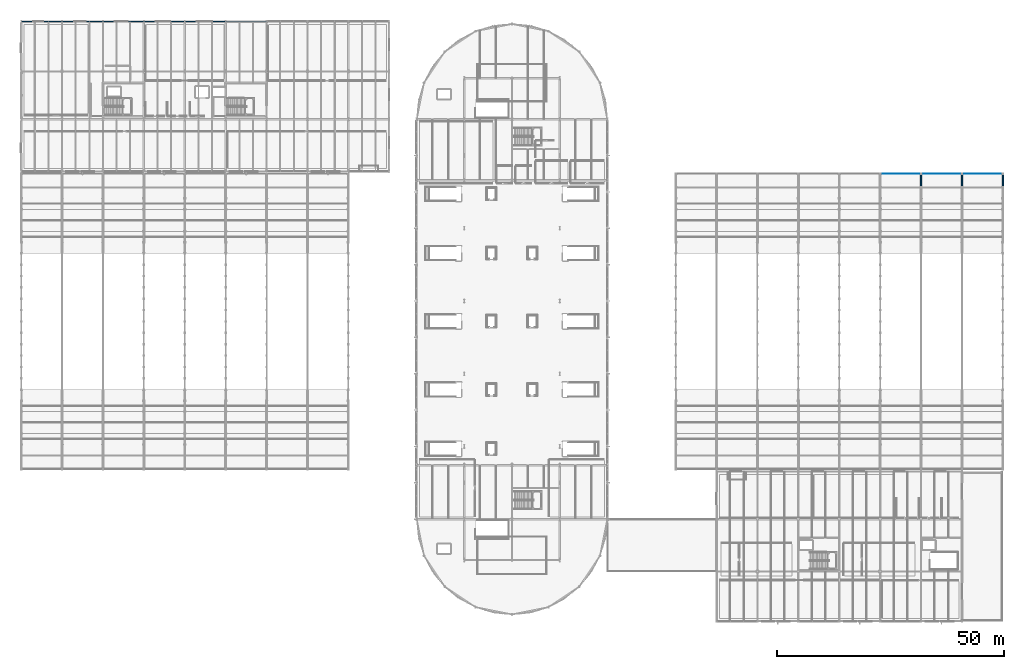
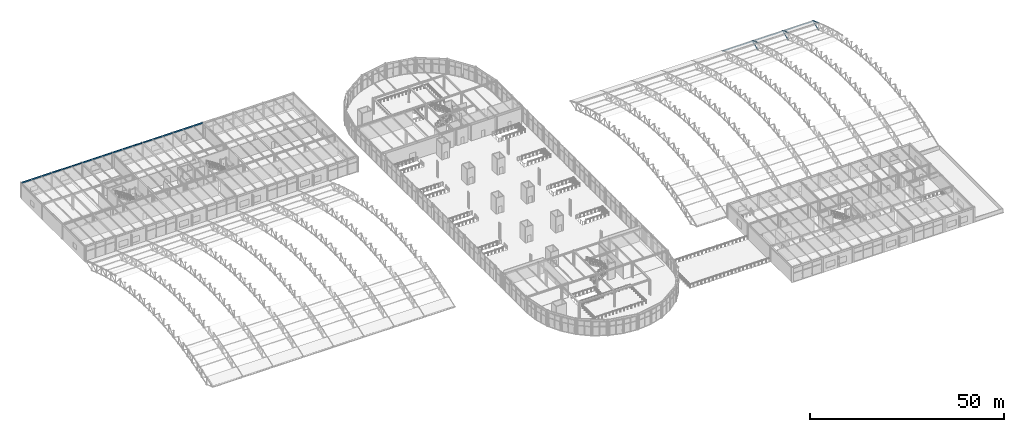
# One storey, part 91 of 195: 9 members, 6 beams.
"""IFC4 building model written with IfcOpenShell, lengths in metres."""

from ifc_helpers import new_model, si_unit, direction, frame, origin, origin_2d, place, context, subcontext, project, spatial, hollow_rectangle, hollow_circle, i_section, extrude, material, material_profile, profile_set, type_object, element, save


model = new_model("IFC4")

# Units and contexts
model_context = context("Model", 3, precision=1e-05, world=origin(), true_north=direction((0.0, 1.0)))
body_context = subcontext(model_context, "Body", "Model", "MODEL_VIEW")
ifc_project = project(units=[si_unit("LENGTHUNIT", "METRE"), si_unit("AREAUNIT", "SQUARE_METRE"), si_unit("VOLUMEUNIT", "CUBIC_METRE"), si_unit("PLANEANGLEUNIT", "RADIAN"), si_unit("MASSUNIT", "GRAM", prefix="KILO")], contexts=[model_context])

# Site, building, storey
site_placement = place(None, origin())
site = spatial("IfcSite", under=ifc_project, at=site_placement, CompositionType="ELEMENT")
building_placement = place(site_placement, origin())
building = spatial("IfcBuilding", under=site, at=building_placement, Name="Marlcrest Central Station", CompositionType="ELEMENT")
storey_placement = place(building_placement, frame((0.0, 0.0, 9.800048828125)))
storey = spatial("IfcBuildingStorey", under=building, at=storey_placement, Name="L02", CompositionType="ELEMENT", Elevation=9.800048828125)

# Members
ifc_material = material(Name="Steel S355", Category="steel")
ifc_material_profile_1 = material_profile(ifc_material, hollow_circle(Radius=0.203125, WallThickness=0.02001953125, at=origin_2d()), Name="CHS 406.4x20")
ifc_profile_set_1 = profile_set([ifc_material_profile_1], Name="Steel S355")
member_type_1 = type_object("IfcMemberType", Name="AC-01", PredefinedType="CHORD", material=ifc_profile_set_1)
for number, where, z_axis, x_axis, name in (
    (1, (198.0, 95.5, 1.599853515625), (0.0, 0.933324071143, -0.359035065453), (-1.0, 0.0, 0.0), "mem-AC-01-L02-01884"),
    (2, (207.0, 95.5, 1.599853515625), (0.0, 0.933324071143, -0.359035065453), (-1.0, 0.0, 0.0), "mem-AC-01-L02-02000"),
    (3, (216.0, 95.5, 1.599853515625), (0.0, 0.933324071143, -0.359035065453), (-1.0, 0.0, 0.0), "mem-AC-01-L02-02116"),
):
    element("IfcMember", number, at=place(storey_placement, frame(where, z_axis=z_axis, x_axis=x_axis)), inside=storey, type_object=member_type_1, Name=name, PredefinedType="CHORD", context=body_context, shape_type="SweptSolid", body=[
        extrude(hollow_circle(Radius=0.203125, WallThickness=0.02001953125, at=origin_2d()), origin(), (0.0, 0.0, 1.0), 3.21435546875),
    ])
ifc_material_profile_2 = material_profile(ifc_material, hollow_circle(Radius=0.084228515625, WallThickness=0.010009765625, at=origin_2d()), Name="CHS 168.3x10")
ifc_profile_set_2 = profile_set([ifc_material_profile_2], Name="Steel S355")
member_type_2 = type_object("IfcMemberType", Name="AD-01", PredefinedType="BRACE", material=ifc_profile_set_2)
for number, where, z_axis, x_axis, name in (
    (4, (198.0, 95.5, -0.60009765625), (0.0, 0.944260188635, 0.329200085296), (-1.0, 0.0, 0.0), "mem-AD-01-L02-01886"),
    (5, (207.0, 95.5, -0.60009765625), (0.0, 0.944260188635, 0.329200085296), (-1.0, 0.0, 0.0), "mem-AD-01-L02-02002"),
    (6, (216.0, 95.5, -0.60009765625), (0.0, 0.944260188635, 0.329200085296), (-1.0, 0.0, 0.0), "mem-AD-01-L02-02118"),
):
    element("IfcMember", number, at=place(storey_placement, frame(where, z_axis=z_axis, x_axis=x_axis)), inside=storey, type_object=member_type_2, Name=name, PredefinedType="BRACE", context=body_context, shape_type="SweptSolid", body=[
        extrude(hollow_circle(Radius=0.084228515625, WallThickness=0.010009765625, at=origin_2d()), origin(), (0.0, 0.0, 1.0), 3.177001953125),
    ])
ifc_material_profile_3 = material_profile(ifc_material, i_section(OverallWidth=0.10009765625, OverallDepth=0.199951171875, WebThickness=0.005615234375, FlangeThickness=0.008544921875, FilletRadius=0.011962890625, at=origin_2d()), Name="IPE 200")
ifc_profile_set_3 = profile_set([ifc_material_profile_3], Name="Steel S355")
member_type_3 = type_object("IfcMemberType", Name="PR-01", PredefinedType="PURLIN", material=ifc_profile_set_3)
for number, where, z_axis, x_axis, name in (
    (7, (189.179931640625, 98.5, 0.3056640625), (1.0, 0.0, 0.0), (0.0, 1.0, 0.0), "mem-PR-01-L02-01785"),
    (8, (198.179931640625, 98.5, 0.3056640625), (1.0, 0.0, 0.0), (0.0, 1.0, 0.0), "mem-PR-01-L02-01901"),
    (9, (207.179931640625, 98.5, 0.3056640625), (1.0, 0.0, 0.0), (0.0, 1.0, 0.0), "mem-PR-01-L02-02017"),
):
    element("IfcMember", number, at=place(storey_placement, frame(where, z_axis=z_axis, x_axis=x_axis)), inside=storey, type_object=member_type_3, Name=name, PredefinedType="PURLIN", context=body_context, shape_type="SweptSolid", body=[
        extrude(i_section(OverallWidth=0.10009765625, OverallDepth=0.199951171875, WebThickness=0.005615234375, FlangeThickness=0.008544921875, FilletRadius=0.011962890625, at=origin_2d()), origin(), (0.0, 0.0, 1.0), 8.64013671875),
    ])

# Beams
ifc_material_profile_4 = material_profile(ifc_material, hollow_rectangle(XDim=0.199951171875, YDim=0.39990234375, WallThickness=0.01611328125, at=origin_2d()), Name="RHS 400x200x16")
ifc_profile_set_4 = profile_set([ifc_material_profile_4], Name="Steel S355")
beam_type = type_object("IfcBeamType", Name="SP-01", PredefinedType="SPANDREL", material=ifc_profile_set_4)
for number, where, z_axis, x_axis, name in (
    (10, (0.050048828125, 132.0, 4.800048828125), (1.0, 0.0, 0.0), (0.0, 1.0, 0.0), "bm-SP-01-L02-00375"),
    (11, (9.050048828125, 132.0, 4.800048828125), (1.0, 0.0, 0.0), (0.0, 1.0, 0.0), "bm-SP-01-L02-00376"),
    (12, (18.050048828125, 132.0, 4.800048828125), (1.0, 0.0, 0.0), (0.0, 1.0, 0.0), "bm-SP-01-L02-00377"),
    (13, (27.050048828125, 132.0, 4.800048828125), (1.0, 0.0, 0.0), (0.0, 1.0, 0.0), "bm-SP-01-L02-00378"),
    (14, (36.050048828125, 132.0, 4.800048828125), (1.0, 0.0, 0.0), (0.0, 1.0, 0.0), "bm-SP-01-L02-00379"),
    (15, (45.050048828125, 132.0, 4.800048828125), (1.0, 0.0, 0.0), (0.0, 1.0, 0.0), "bm-SP-01-L02-00380"),
):
    element("IfcBeam", number, at=place(storey_placement, frame(where, z_axis=z_axis, x_axis=x_axis)), inside=storey, type_object=beam_type, Name=name, PredefinedType="SPANDREL", context=body_context, shape_type="SweptSolid", body=[
        extrude(hollow_rectangle(XDim=0.199951171875, YDim=0.39990234375, WallThickness=0.01611328125, at=origin_2d()), origin(), (0.0, 0.0, 1.0), 8.89990234375),
    ])

save(model, "model.ifc")
